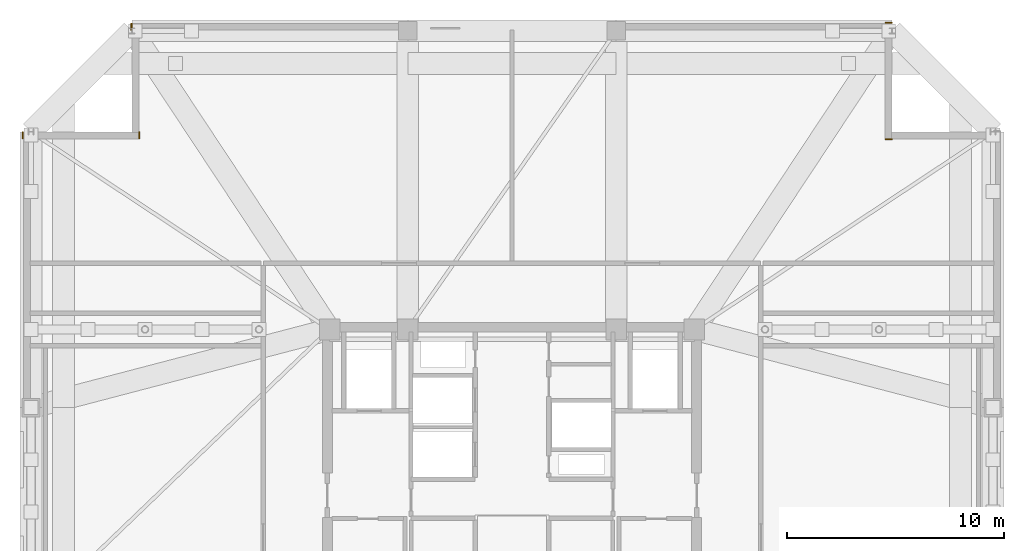
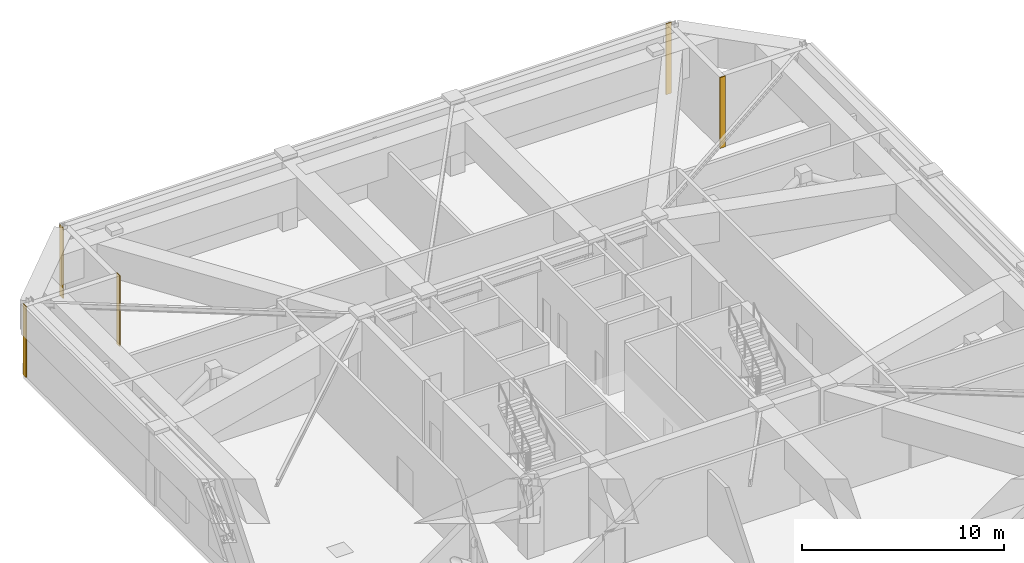
# One storey, part 16 of 17: 5 coverings.
"""IFC4 building model written with IfcOpenShell, lengths in metres."""

from ifc_helpers import new_model, si_unit, direction, frame, frame_2d, origin, place, context, subcontext, project, spatial, rectangle, extrude, material, layer, layer_set, type_object, element, save


model = new_model("IFC4")

# Units and contexts
model_context = context("Model", 3, precision=1e-05, world=origin(), true_north=direction((0.0, 1.0)))
body_context = subcontext(model_context, "Body", "Model", "MODEL_VIEW")
ifc_project = project(units=[si_unit("LENGTHUNIT", "METRE"), si_unit("AREAUNIT", "SQUARE_METRE"), si_unit("VOLUMEUNIT", "CUBIC_METRE"), si_unit("PLANEANGLEUNIT", "RADIAN"), si_unit("MASSUNIT", "GRAM", prefix="KILO")], contexts=[model_context])

# Site, building, storey
site_placement = place(None, origin())
site = spatial("IfcSite", under=ifc_project, at=site_placement, CompositionType="ELEMENT")
building_placement = place(site_placement, origin())
building = spatial("IfcBuilding", under=site, at=building_placement, Name="Cairnveth Concourse Tower", CompositionType="ELEMENT")
storey_placement = place(building_placement, frame((0.0, 0.0, 276.0)))
storey = spatial("IfcBuildingStorey", under=building, at=storey_placement, Name="L76", CompositionType="ELEMENT", Elevation=276.0)

# Coverings
ifc_material = material(Name="Dressed Melbourne Bluestone Cladding", Category="masonry")
ifc_layer = layer(ifc_material, 0.050048828125)
ifc_layer_set = layer_set([ifc_layer], Name="Dressed Melbourne Bluestone Cladding")
covering_type = type_object("IfcCoveringType", Name="DRESSED BLUESTONE PLINTH CLADDING 50", PredefinedType="CLADDING", material=ifc_layer_set)
for number, where, z_axis, x_axis, name in (
    (1, (29.47998046875, 56.179931640625, 0.0), (0.0, 0.0, 1.0), (0.0, 1.0, 0.0), "Melbourne Bluestone Corner Quoin L76-1154"),
    (2, (34.840087890625, 56.179931640625, 0.0), (0.0, 0.0, 1.0), (0.0, 1.0, 0.0), "Melbourne Bluestone Corner Quoin L76-1155"),
    (3, (34.47998046875, 61.179931640625, 0.0), (0.0, 0.0, 1.0), (0.0, 1.0, 0.0), "Melbourne Bluestone Corner Quoin L76-1156"),
    (4, (69.179931640625, 61.52001953125, 0.0), (0.0, 0.0, 1.0), (1.0, 0.0, 0.0), "Melbourne Bluestone Corner Quoin L76-1157"),
    (5, (69.179931640625, 56.159912109375, 0.0), (0.0, 0.0, 1.0), (1.0, 0.0, 0.0), "Melbourne Bluestone Corner Quoin L76-1158"),
):
    element("IfcCovering", number, at=place(storey_placement, frame(where, z_axis=z_axis, x_axis=x_axis)), inside=storey, type_object=covering_type, Name=name, PredefinedType="CLADDING", context=body_context, shape_type="SweptSolid", body=[
        extrude(rectangle(XDim=0.320068359375, YDim=0.050048828125, at=frame_2d((0.16015625, 0.0))), origin(), (0.0, 0.0, 1.0), 4.2900390625),
    ])

save(model, "model.ifc")
